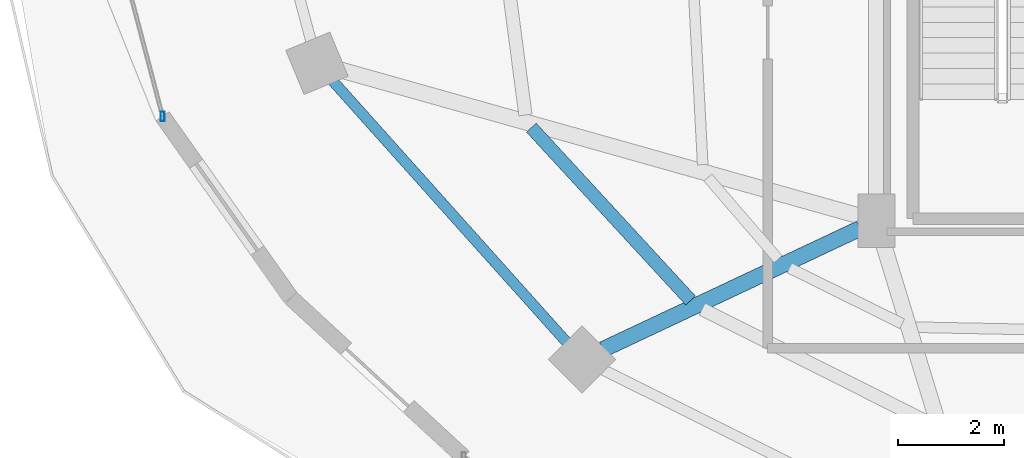
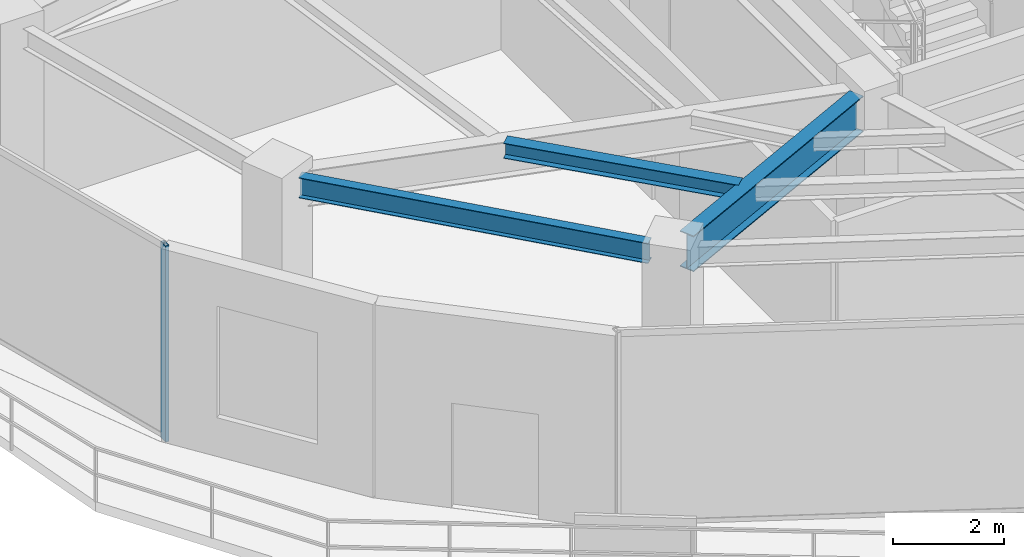
# One storey, part 3 of 27: 3 beams, 1 member, 1 element without a shape of its own.
"""IFC4 building model written with IfcOpenShell, lengths in metres."""

from ifc_helpers import new_model, si_unit, direction, frame, origin, origin_2d, place, context, subcontext, project, spatial, hollow_rectangle, i_section, extrude, material, material_profile, profile_set, type_object, element, aggregate, save


model = new_model("IFC4")

# Units and contexts
model_context = context("Model", 3, precision=1e-05, world=origin(), true_north=direction((0.0, 1.0)))
body_context = subcontext(model_context, "Body", "Model", "MODEL_VIEW")
ifc_project = project(units=[si_unit("LENGTHUNIT", "METRE"), si_unit("AREAUNIT", "SQUARE_METRE"), si_unit("VOLUMEUNIT", "CUBIC_METRE"), si_unit("PLANEANGLEUNIT", "RADIAN"), si_unit("MASSUNIT", "GRAM", prefix="KILO")], contexts=[model_context])

# Site, building, storey
site_placement = place(None, origin())
site = spatial("IfcSite", under=ifc_project, at=site_placement, CompositionType="ELEMENT")
building_placement = place(site_placement, origin())
building = spatial("IfcBuilding", under=site, at=building_placement, Name="Vorneva Point Tower", CompositionType="ELEMENT")
storey_placement = place(building_placement, frame((0.0, 0.0, 229.75)))
storey = spatial("IfcBuildingStorey", under=building, at=storey_placement, Name="L62", CompositionType="ELEMENT", Elevation=229.75)

# Beams
ifc_material_1 = material(Name="Steel S355", Category="steel")
ifc_material_profile_1 = material_profile(ifc_material_1, i_section(OverallWidth=0.300048828125, OverallDepth=0.7880859375, WebThickness=0.014404296875, FlangeThickness=0.02197265625, at=origin_2d()), Name="80Sh1")
ifc_profile_set_1 = profile_set([ifc_material_profile_1], Name="Steel S355")
beam_type_1 = type_object("IfcBeamType", Name="BM-GRD-80Sh1", PredefinedType="USERDEFINED", material=ifc_profile_set_1)
beam_1_placement = place(storey_placement, frame((22.097412109375, 14.0244140625, 3.845947265625), z_axis=(0.904762899762, 0.42591559635, 0.0), x_axis=(-0.42591559635, 0.904762899762, 0.0)))
element("IfcBeam", 1, at=beam_1_placement, inside=storey, type_object=beam_type_1, Name="L62 Radial Primary Girder 11", ObjectType="GIRDER", PredefinedType="USERDEFINED", context=body_context, shape_type="SweptSolid", body=[
    extrude(i_section(OverallWidth=0.300048828125, OverallDepth=0.7880859375, WebThickness=0.014404296875, FlangeThickness=0.02197265625, at=origin_2d()), origin(), (0.0, 0.0, 1.0), 5.35498046875),
])
ifc_material_profile_2 = material_profile(ifc_material_1, i_section(OverallWidth=0.2490234375, OverallDepth=0.333984375, WebThickness=0.008056640625, FlangeThickness=0.010986328125, at=origin_2d()), Name="35Sh1")
ifc_profile_set_2 = profile_set([ifc_material_profile_2], Name="Steel S355")
beam_type_2 = type_object("IfcBeamType", Name="BM-SEC-35Sh1", PredefinedType="BEAM", material=ifc_profile_set_2)
beam_2_placement = place(storey_placement, frame((20.746337890625, 18.205078125, 4.072998046875), z_axis=(0.677611480148, -0.735420071777, 0.0), x_axis=(0.735420071777, 0.677611480148, 0.0)))
element("IfcBeam", 2, at=beam_2_placement, inside=storey, type_object=beam_type_2, Name="L62 Secondary Floor Beam 1.10", PredefinedType="BEAM", context=body_context, shape_type="SweptSolid", body=[
    extrude(i_section(OverallWidth=0.2490234375, OverallDepth=0.333984375, WebThickness=0.008056640625, FlangeThickness=0.010986328125, at=origin_2d()), origin(), (0.0, 0.0, 1.0), 4.43017578125),
])
ifc_material_profile_3 = material_profile(ifc_material_1, i_section(OverallWidth=0.198974609375, OverallDepth=0.446044921875, WebThickness=0.008056640625, FlangeThickness=0.011962890625, at=origin_2d()), Name="45B1")
ifc_profile_set_3 = profile_set([ifc_material_profile_3], Name="Steel S355")
beam_type_3 = type_object("IfcBeamType", Name="BM-SPN-45B1", PredefinedType="SPANDREL", material=ifc_profile_set_3)
beam_3_placement = place(storey_placement, frame((16.994873046875, 19.09375, 4.01708984375), z_axis=(0.66706970547, -0.744995307397, 0.0), x_axis=(0.744995307397, 0.66706970547, 0.0)))
element("IfcBeam", 3, at=beam_3_placement, inside=storey, type_object=beam_type_3, Name="L62 Perimeter Spandrel Ring Beam 10", PredefinedType="SPANDREL", context=body_context, shape_type="SweptSolid", body=[
    extrude(i_section(OverallWidth=0.198974609375, OverallDepth=0.446044921875, WebThickness=0.008056640625, FlangeThickness=0.011962890625, at=origin_2d()), origin(), (0.0, 0.0, 1.0), 6.6201171875),
])

# Curtain wall, member
ifc_material_2 = material(Name="Pale anodised aluminium", Category="aluminium")
curtain_wall_type = type_object("IfcCurtainWallType", Name="CW-SKY-SYS", PredefinedType="NOTDEFINED", material=ifc_material_2)
curtain_wall_placement = place(storey_placement, origin())
curtain_wall = element("IfcCurtainWall", 4, at=curtain_wall_placement, inside=storey, type_object=curtain_wall_type, Name="L62 Unitised Curtain Wall CW-L62-R03", PredefinedType="NOTDEFINED")
ifc_material_profile_4 = material_profile(ifc_material_2, hollow_rectangle(XDim=0.074951171875, YDim=0.179931640625, WallThickness=0.00390625, at=origin_2d()), Name="AL-MUL 180x75x4")
ifc_profile_set_4 = profile_set([ifc_material_profile_4], Name="Pale anodised aluminium")
member_type = type_object("IfcMemberType", Name="CW-MUL-180", PredefinedType="MULLION", material=ifc_profile_set_4)
member_placement = place(storey_placement, frame((13.79443359375, 18.4189453125, -0.0400390625), z_axis=(0.0, 0.0, 1.0), x_axis=(1.0, 0.0, 0.0)))
member = element("IfcMember", 5, at=member_placement, type_object=member_type, Name="CW-L62-R03 Mullion 04", PredefinedType="MULLION", context=body_context, shape_type="SweptSolid", body=[
    extrude(hollow_rectangle(XDim=0.074951171875, YDim=0.179931640625, WallThickness=0.00390625, at=origin_2d()), origin(), (0.0, 0.0, 1.0), 4.31005859375),
])
aggregate(curtain_wall, [member])

save(model, "model.ifc")
